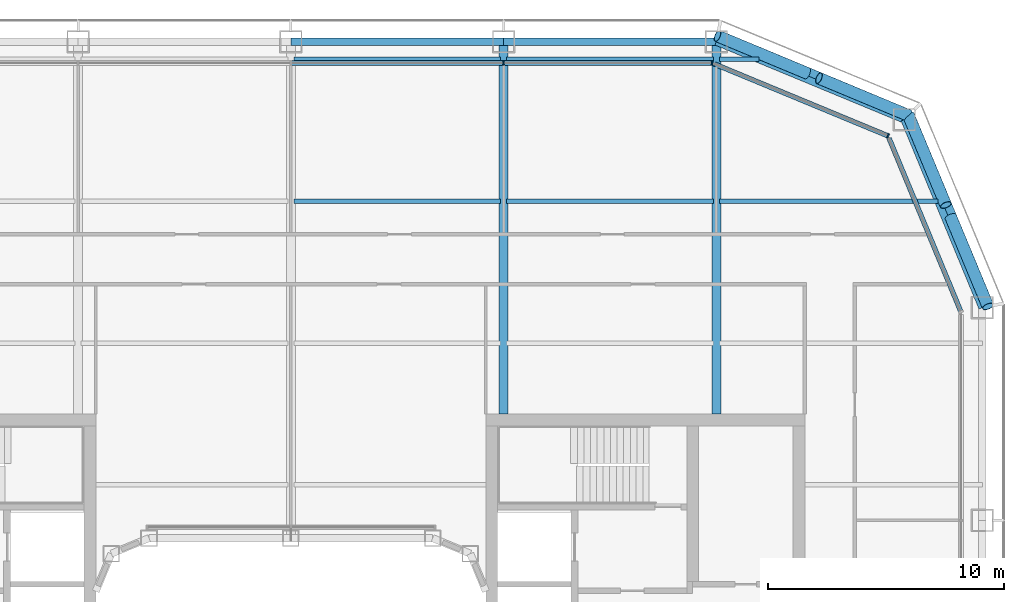
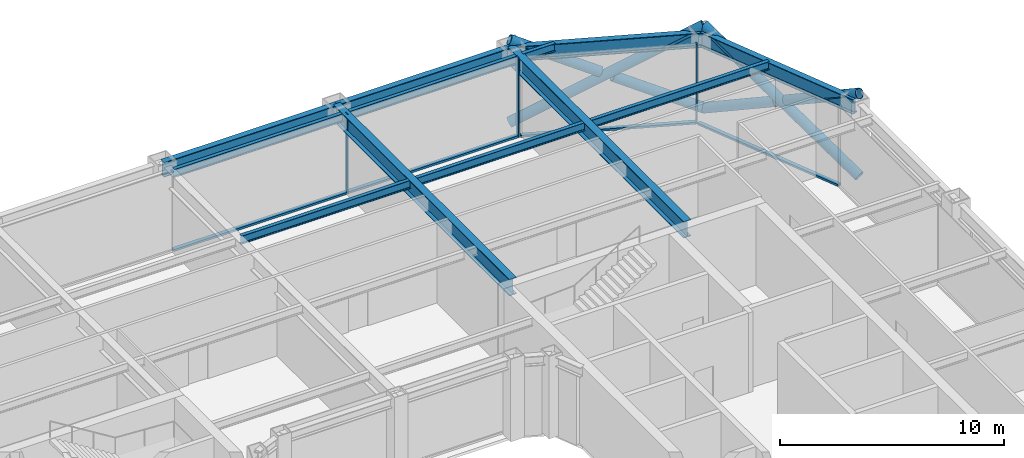
# One storey, part 9 of 21: 13 members, 12 beams, 3 elements without a shape of their own.
"""IFC4 building model written with IfcOpenShell, lengths in metres."""

from ifc_helpers import new_model, si_unit, direction, frame, origin, origin_2d, place, context, subcontext, project, spatial, rectangle, hollow_circle, i_section, extrude, material, layer, layer_set, material_profile, profile_set, type_object, element, aggregate, save


model = new_model("IFC4")

# Units and contexts
model_context = context("Model", 3, precision=1e-05, world=origin(), true_north=direction((0.0, 1.0)))
body_context = subcontext(model_context, "Body", "Model", "MODEL_VIEW")
ifc_project = project(units=[si_unit("LENGTHUNIT", "METRE"), si_unit("AREAUNIT", "SQUARE_METRE"), si_unit("VOLUMEUNIT", "CUBIC_METRE"), si_unit("PLANEANGLEUNIT", "RADIAN"), si_unit("MASSUNIT", "GRAM", prefix="KILO")], contexts=[model_context])

# Site, building, storey
site_placement = place(None, origin())
site = spatial("IfcSite", under=ifc_project, at=site_placement, CompositionType="ELEMENT")
building_placement = place(site_placement, origin())
building = spatial("IfcBuilding", under=site, at=building_placement, Name="Siwar Civic Tower", CompositionType="ELEMENT")
storey_placement = place(building_placement, frame((0.0, 0.0, 140.699951171875)))
storey = spatial("IfcBuildingStorey", under=building, at=storey_placement, Name="L30", CompositionType="ELEMENT", Elevation=140.699951171875)

# Curtain wall, member
ifc_material_1 = material(Name="Aluminium clad insulated panel", Category="aluminium")
ifc_layer_1 = layer(ifc_material_1, 0.199951171875)
ifc_layer_set_1 = layer_set([ifc_layer_1], Name="Aluminium clad insulated panel")
curtain_wall_type_1 = type_object("IfcCurtainWallType", Name="ENV-CW-BX", PredefinedType="NOTDEFINED", material=ifc_layer_set_1)
curtain_wall_1_placement = place(storey_placement, origin())
curtain_wall_1 = element("IfcCurtainWall", 1, at=curtain_wall_1_placement, inside=storey, type_object=curtain_wall_type_1, Name="Curtain wall B NE2", PredefinedType="NOTDEFINED")
ifc_material_2 = material(Name="Aluminium 6063-T6", Category="aluminium")
ifc_material_profile_1 = material_profile(ifc_material_2, rectangle(XDim=0.199951171875, YDim=0.06494140625, at=origin_2d()), Name="AL 200x65")
ifc_profile_set_1 = profile_set([ifc_material_profile_1], Name="Aluminium 6063-T6")
member_type_1 = type_object("IfcMemberType", Name="ENV-MULLION-B", PredefinedType="MULLION", material=ifc_profile_set_1)
member_1_placement = place(storey_placement, frame((25.26611328125, 25.26611328125, 0.0), z_axis=(0.0, 0.0, 1.0), x_axis=(-0.382683432365, -0.923879532511, 0.0)))
member_1 = element("IfcMember", 2, at=member_1_placement, type_object=member_type_1, Name="Mullion B NE2 1", PredefinedType="MULLION", context=body_context, shape_type="SweptSolid", body=[
    extrude(rectangle(XDim=0.199951171875, YDim=0.06494140625, at=origin_2d()), origin(), (0.0, 0.0, 1.0), 4.35009765625),
])

# Curtain wall, members
ifc_material_3 = material(Name="Aluminium and glass", Category="aluminium")
ifc_layer_2 = layer(ifc_material_3, 0.199951171875)
ifc_layer_set_2 = layer_set([ifc_layer_2], Name="Aluminium and glass")
curtain_wall_type_2 = type_object("IfcCurtainWallType", Name="ENV-CW-B", PredefinedType="NOTDEFINED", material=ifc_layer_set_2)
curtain_wall_2_placement = place(storey_placement, origin())
curtain_wall_2 = element("IfcCurtainWall", 3, at=curtain_wall_2_placement, inside=storey, type_object=curtain_wall_type_2, Name="Curtain wall B N", PredefinedType="NOTDEFINED")
member_2_placement = place(storey_placement, frame((17.821044921875, 28.35009765625, 0.0), z_axis=(0.0, 0.0, 1.0), x_axis=(0.0, -1.0, 0.0)))
member_2 = element("IfcMember", 4, at=member_2_placement, type_object=member_type_1, Name="Mullion B N 1", PredefinedType="MULLION", context=body_context, shape_type="SweptSolid", body=[
    extrude(rectangle(XDim=0.199951171875, YDim=0.06494140625, at=origin_2d()), origin(), (0.0, 0.0, 1.0), 4.35009765625),
])
member_3_placement = place(storey_placement, frame((9.0, 28.35009765625, 0.0), z_axis=(0.0, 0.0, 1.0), x_axis=(0.0, -1.0, 0.0)))
member_3 = element("IfcMember", 5, at=member_3_placement, type_object=member_type_1, Name="Mullion B N 2", PredefinedType="MULLION", context=body_context, shape_type="SweptSolid", body=[
    extrude(rectangle(XDim=0.199951171875, YDim=0.06494140625, at=origin_2d()), origin(), (0.0, 0.0, 1.0), 4.35009765625),
])

# Curtain wall, member
curtain_wall_3_placement = place(storey_placement, origin())
curtain_wall_3 = element("IfcCurtainWall", 6, at=curtain_wall_3_placement, inside=storey, type_object=curtain_wall_type_1, Name="Curtain wall B NE1", PredefinedType="NOTDEFINED")
ifc_material_4 = material(Name="Aluminium 6063-T6", Category="aluminium")
ifc_material_profile_2 = material_profile(ifc_material_4, rectangle(XDim=0.199951171875, YDim=0.110107421875, at=origin_2d()), Name="AL 200x110")
ifc_profile_set_2 = profile_set([ifc_material_profile_2], Name="Aluminium 6063-T6")
member_type_2 = type_object("IfcMemberType", Name="ENV-TRANSOM-B", PredefinedType="USERDEFINED", material=ifc_profile_set_2)
member_4_placement = place(storey_placement, frame((28.337646484375, 17.85107421875, 0.054931640625), z_axis=(-0.382699695651, 0.92387279587, 0.0), x_axis=(-0.92387279587, -0.382699695651, 0.0)))
member_4 = element("IfcMember", 7, at=member_4_placement, type_object=member_type_2, Name="Transom B NE1 1", ObjectType="TRANSOM", PredefinedType="USERDEFINED", context=body_context, shape_type="SweptSolid", body=[
    extrude(rectangle(XDim=0.199951171875, YDim=0.110107421875, at=origin_2d()), origin(), (0.0, 0.0, 1.0), 7.912353515625),
])
aggregate(curtain_wall_3, [member_4])

# Member
member_5_placement = place(storey_placement, frame((25.236083984375, 25.278564453125, 0.054931640625), z_axis=(-0.923883705044, 0.382673358825, 0.0), x_axis=(-0.382673358825, -0.923883705044, 0.0)))
member_5 = element("IfcMember", 8, at=member_5_placement, type_object=member_type_2, Name="Transom B NE2 1", ObjectType="TRANSOM", PredefinedType="USERDEFINED", context=body_context, shape_type="SweptSolid", body=[
    extrude(rectangle(XDim=0.199951171875, YDim=0.110107421875, at=origin_2d()), origin(), (0.0, 0.0, 1.0), 7.912353515625),
])

aggregate(curtain_wall_1, [member_1, member_5])

member_6_placement = place(storey_placement, frame((17.78857421875, 28.35009765625, 0.054931640625), z_axis=(-1.0, 0.0, 0.0), x_axis=(0.0, -1.0, 0.0)))
member_6 = element("IfcMember", 9, at=member_6_placement, type_object=member_type_2, Name="Transom B N 1", ObjectType="TRANSOM", PredefinedType="USERDEFINED", context=body_context, shape_type="SweptSolid", body=[
    extrude(rectangle(XDim=0.199951171875, YDim=0.110107421875, at=origin_2d()), origin(), (0.0, 0.0, 1.0), 8.756103515625),
])

member_7_placement = place(storey_placement, frame((8.967529296875, 28.35009765625, 0.054931640625), z_axis=(-1.0, 0.0, 0.0), x_axis=(0.0, -1.0, 0.0)))
member_7 = element("IfcMember", 10, at=member_7_placement, type_object=member_type_2, Name="Transom B N 2", ObjectType="TRANSOM", PredefinedType="USERDEFINED", context=body_context, shape_type="SweptSolid", body=[
    extrude(rectangle(XDim=0.199951171875, YDim=0.110107421875, at=origin_2d()), origin(), (0.0, 0.0, 1.0), 8.93505859375),
])

aggregate(curtain_wall_2, [member_2, member_3, member_6, member_7])

# Members
ifc_material_5 = material(Name="Steel S355", Category="steel")
ifc_material_profile_3 = material_profile(ifc_material_5, hollow_circle(Radius=0.25390625, WallThickness=0.02490234375, at=origin_2d()), Name="CHS508x25")
ifc_profile_set_3 = profile_set([ifc_material_profile_3], Name="Steel S355")
member_type_3 = type_object("IfcMemberType", Name="STR-BR-CHS508x25", PredefinedType="BRACE", material=ifc_profile_set_3)
member_8_placement = place(storey_placement, frame((18.048828125, 29.4951171875, 0.0), z_axis=(0.821142553604, -0.341671493852, 0.457149315816), x_axis=(0.384163874976, 0.923264922524, 0.0)))
element("IfcMember", 11, at=member_8_placement, inside=storey, type_object=member_type_3, Name="L30/brc/BNE1-9-0-1", PredefinedType="BRACE", context=body_context, shape_type="SweptSolid", body=[
    extrude(hollow_circle(Radius=0.25390625, WallThickness=0.02490234375, at=origin_2d()), origin(), (0.0, 0.0, 1.0), 9.843505859375),
])
member_9_placement = place(storey_placement, frame((26.1318359375, 26.1318359375, 0.0), z_axis=(-0.821143275065, 0.341662474736, 0.457154760636), x_axis=(-0.384154943021, -0.923268638995, 0.0)))
element("IfcMember", 12, at=member_9_placement, inside=storey, type_object=member_type_3, Name="L30/brc/BNE1-9-0-2", PredefinedType="BRACE", context=body_context, shape_type="SweptSolid", body=[
    extrude(hollow_circle(Radius=0.25390625, WallThickness=0.02490234375, at=origin_2d()), origin(), (0.0, 0.0, 1.0), 4.61474609375),
])
member_10_placement = place(storey_placement, frame((21.837890625, 27.91845703125, 2.390625), z_axis=(-0.821145902409, 0.34168558233, 0.457132770413), x_axis=(-0.384176042158, -0.923259859753, 0.0)))
element("IfcMember", 13, at=member_10_placement, inside=storey, type_object=member_type_3, Name="L30/brc/BNE1-9-0-3", PredefinedType="BRACE", context=body_context, shape_type="SweptSolid", body=[
    extrude(hollow_circle(Radius=0.25390625, WallThickness=0.02490234375, at=origin_2d()), origin(), (0.0, 0.0, 1.0), 4.6142578125),
])
member_11_placement = place(storey_placement, frame((29.4951171875, 18.048828125, 0.0), z_axis=(-0.341671493852, 0.821142553604, 0.457149315816), x_axis=(-0.923264922524, -0.384163874976, 0.0)))
element("IfcMember", 14, at=member_11_placement, inside=storey, type_object=member_type_3, Name="L30/brc/BNE1-9-0-0", PredefinedType="BRACE", context=body_context, shape_type="SweptSolid", body=[
    extrude(hollow_circle(Radius=0.25390625, WallThickness=0.02490234375, at=origin_2d()), origin(), (0.0, 0.0, 1.0), 9.843505859375),
])
member_12_placement = place(storey_placement, frame((26.1318359375, 26.1318359375, 0.0), z_axis=(0.341662474736, -0.821143275065, 0.457154760636), x_axis=(0.923268638995, 0.384154943021, 0.0)))
element("IfcMember", 15, at=member_12_placement, inside=storey, type_object=member_type_3, Name="L30/brc/BNE1-9-0-4", PredefinedType="BRACE", context=body_context, shape_type="SweptSolid", body=[
    extrude(hollow_circle(Radius=0.25390625, WallThickness=0.02490234375, at=origin_2d()), origin(), (0.0, 0.0, 1.0), 4.61474609375),
])
member_13_placement = place(storey_placement, frame((27.91845703125, 21.837890625, 2.390625), z_axis=(0.34168558233, -0.821145902409, 0.457132770413), x_axis=(0.923259859753, 0.384176042158, 0.0)))
element("IfcMember", 16, at=member_13_placement, inside=storey, type_object=member_type_3, Name="L30/brc/BNE1-9-0-5", PredefinedType="BRACE", context=body_context, shape_type="SweptSolid", body=[
    extrude(hollow_circle(Radius=0.25390625, WallThickness=0.02490234375, at=origin_2d()), origin(), (0.0, 0.0, 1.0), 4.6142578125),
])

# Beams
ifc_material_6 = material(Name="Steel S355", Category="steel")
ifc_material_profile_4 = material_profile(ifc_material_6, i_section(OverallWidth=0.18994140625, OverallDepth=0.449951171875, WebThickness=0.009521484375, FlangeThickness=0.0146484375, FilletRadius=0.02099609375, at=origin_2d()), Name="IPE450")
ifc_profile_set_4 = profile_set([ifc_material_profile_4], Name="Steel S355")
beam_type_1 = type_object("IfcBeamType", Name="STR-FB-IPE450", PredefinedType="JOIST", material=ifc_profile_set_4)
for number, where, z_axis, x_axis, name in (
    (17, (0.1298828125, 22.5, 4.125), (1.0, 0.0, 0.0), (0.0, 1.0, 0.0), "L30/bm/F040"),
    (18, (9.1298828125, 22.5, 4.125), (1.0, 0.0, 0.0), (0.0, 1.0, 0.0), "L30/bm/F041"),
):
    element("IfcBeam", number, at=place(storey_placement, frame(where, z_axis=z_axis, x_axis=x_axis)), inside=storey, type_object=beam_type_1, Name=name, PredefinedType="JOIST", context=body_context, shape_type="SweptSolid", body=[
        extrude(i_section(OverallWidth=0.18994140625, OverallDepth=0.449951171875, WebThickness=0.009521484375, FlangeThickness=0.0146484375, FilletRadius=0.02099609375, at=origin_2d()), origin(), (0.0, 0.0, 1.0), 8.740234375),
    ])
beam_1_placement = place(storey_placement, frame((18.1298828125, 22.5, 4.125), z_axis=(1.0, 0.0, 0.0), x_axis=(0.0, 1.0, 0.0)))
element("IfcBeam", 19, at=beam_1_placement, inside=storey, type_object=beam_type_1, Name="L30/bm/F042", PredefinedType="JOIST", context=body_context, shape_type="SweptSolid", body=[
    extrude(i_section(OverallWidth=0.18994140625, OverallDepth=0.449951171875, WebThickness=0.009521484375, FlangeThickness=0.0146484375, FilletRadius=0.02099609375, at=origin_2d()), origin(), (0.0, 0.0, 1.0), 9.256103515625),
])
for number, where, z_axis, x_axis, name in (
    (20, (0.1298828125, 28.5, 4.125), (1.0, 0.0, 0.0), (0.0, 1.0, 0.0), "L30/bm/F046"),
    (21, (9.1298828125, 28.5, 4.125), (1.0, 0.0, 0.0), (0.0, 1.0, 0.0), "L30/bm/F047"),
):
    element("IfcBeam", number, at=place(storey_placement, frame(where, z_axis=z_axis, x_axis=x_axis)), inside=storey, type_object=beam_type_1, Name=name, PredefinedType="JOIST", context=body_context, shape_type="SweptSolid", body=[
        extrude(i_section(OverallWidth=0.18994140625, OverallDepth=0.449951171875, WebThickness=0.009521484375, FlangeThickness=0.0146484375, FilletRadius=0.02099609375, at=origin_2d()), origin(), (0.0, 0.0, 1.0), 8.740234375),
    ])
beam_2_placement = place(storey_placement, frame((18.1298828125, 28.5, 4.125), z_axis=(1.0, 0.0, 0.0), x_axis=(0.0, 1.0, 0.0)))
element("IfcBeam", 22, at=beam_2_placement, inside=storey, type_object=beam_type_1, Name="L30/bm/F048", PredefinedType="JOIST", context=body_context, shape_type="SweptSolid", body=[
    extrude(i_section(OverallWidth=0.18994140625, OverallDepth=0.449951171875, WebThickness=0.009521484375, FlangeThickness=0.0146484375, FilletRadius=0.02099609375, at=origin_2d()), origin(), (0.0, 0.0, 1.0), 1.6806640625),
])
ifc_material_7 = material(Name="Steel S355", Category="steel")
ifc_material_profile_5 = material_profile(ifc_material_7, i_section(OverallWidth=0.3798828125, OverallDepth=0.89990234375, WebThickness=0.01611328125, FlangeThickness=0.035888671875, at=origin_2d()), Name="PG900x380x16x36")
ifc_profile_set_5 = profile_set([ifc_material_profile_5], Name="Steel S355")
beam_type_2 = type_object("IfcBeamType", Name="STR-PG-PG900x380x16x36", PredefinedType="BEAM", material=ifc_profile_set_5)
for number, where, z_axis, x_axis, name in (
    (23, (9.0, 13.5, 3.900146484375), (0.0, 1.0, 0.0), (-1.0, 0.0, 0.0), "L30/bm/G08"),
    (24, (18.0, 13.5, 3.900146484375), (0.0, 1.0, 0.0), (-1.0, 0.0, 0.0), "L30/bm/G10"),
):
    element("IfcBeam", number, at=place(storey_placement, frame(where, z_axis=z_axis, x_axis=x_axis)), inside=storey, type_object=beam_type_2, Name=name, PredefinedType="BEAM", context=body_context, shape_type="SweptSolid", body=[
        extrude(i_section(OverallWidth=0.3798828125, OverallDepth=0.89990234375, WebThickness=0.01611328125, FlangeThickness=0.035888671875, at=origin_2d()), origin(), (0.0, 0.0, 1.0), 15.75),
    ])
ifc_material_8 = material(Name="Steel S355", Category="steel")
ifc_material_profile_6 = material_profile(ifc_material_8, i_section(OverallWidth=0.300048828125, OverallDepth=0.800048828125, WebThickness=0.017578125, FlangeThickness=0.032958984375, FilletRadius=0.030029296875, at=origin_2d()), Name="HEB800")
ifc_profile_set_6 = profile_set([ifc_material_profile_6], Name="Steel S355")
beam_type_3 = type_object("IfcBeamType", Name="STR-SB-HEB800", PredefinedType="BEAM", material=ifc_profile_set_6)
for number, where, z_axis, x_axis, name in (
    (25, (29.25, 18.0, 3.949951171875), (-0.382699877515, 0.923872720536, 0.0), (-0.923872720536, -0.382699877515, 0.0), "L30/bm/SNE1-0"),
    (26, (25.954833984375, 25.954833984375, 3.949951171875), (-0.923872720536, 0.382699877515, 0.0), (-0.382699877515, -0.923872720536, 0.0), "L30/bm/SNE2-0"),
):
    element("IfcBeam", number, at=place(storey_placement, frame(where, z_axis=z_axis, x_axis=x_axis)), inside=storey, type_object=beam_type_3, Name=name, PredefinedType="BEAM", context=body_context, shape_type="SweptSolid", body=[
        extrude(i_section(OverallWidth=0.300048828125, OverallDepth=0.800048828125, WebThickness=0.017578125, FlangeThickness=0.032958984375, FilletRadius=0.030029296875, at=origin_2d()), origin(), (0.0, 0.0, 1.0), 8.6103515625),
    ])
for number, where, z_axis, x_axis, name in (
    (27, (18.0, 29.25, 3.949951171875), (-1.0, 0.0, 0.0), (0.0, -1.0, 0.0), "L30/bm/SN-0"),
    (28, (9.0, 29.25, 3.949951171875), (-1.0, 0.0, 0.0), (0.0, -1.0, 0.0), "L30/bm/SN-1"),
):
    element("IfcBeam", number, at=place(storey_placement, frame(where, z_axis=z_axis, x_axis=x_axis)), inside=storey, type_object=beam_type_3, Name=name, PredefinedType="BEAM", context=body_context, shape_type="SweptSolid", body=[
        extrude(i_section(OverallWidth=0.300048828125, OverallDepth=0.800048828125, WebThickness=0.017578125, FlangeThickness=0.032958984375, FilletRadius=0.030029296875, at=origin_2d()), origin(), (0.0, 0.0, 1.0), 9.0),
    ])

save(model, "model.ifc")
